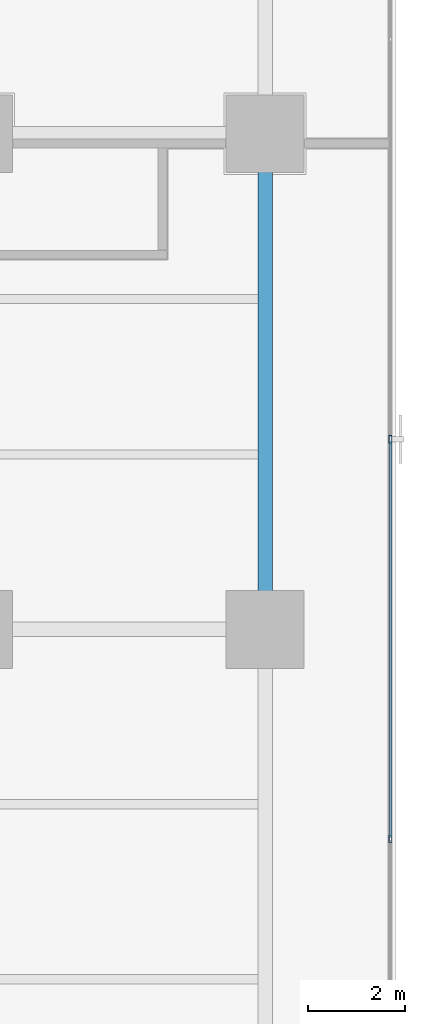
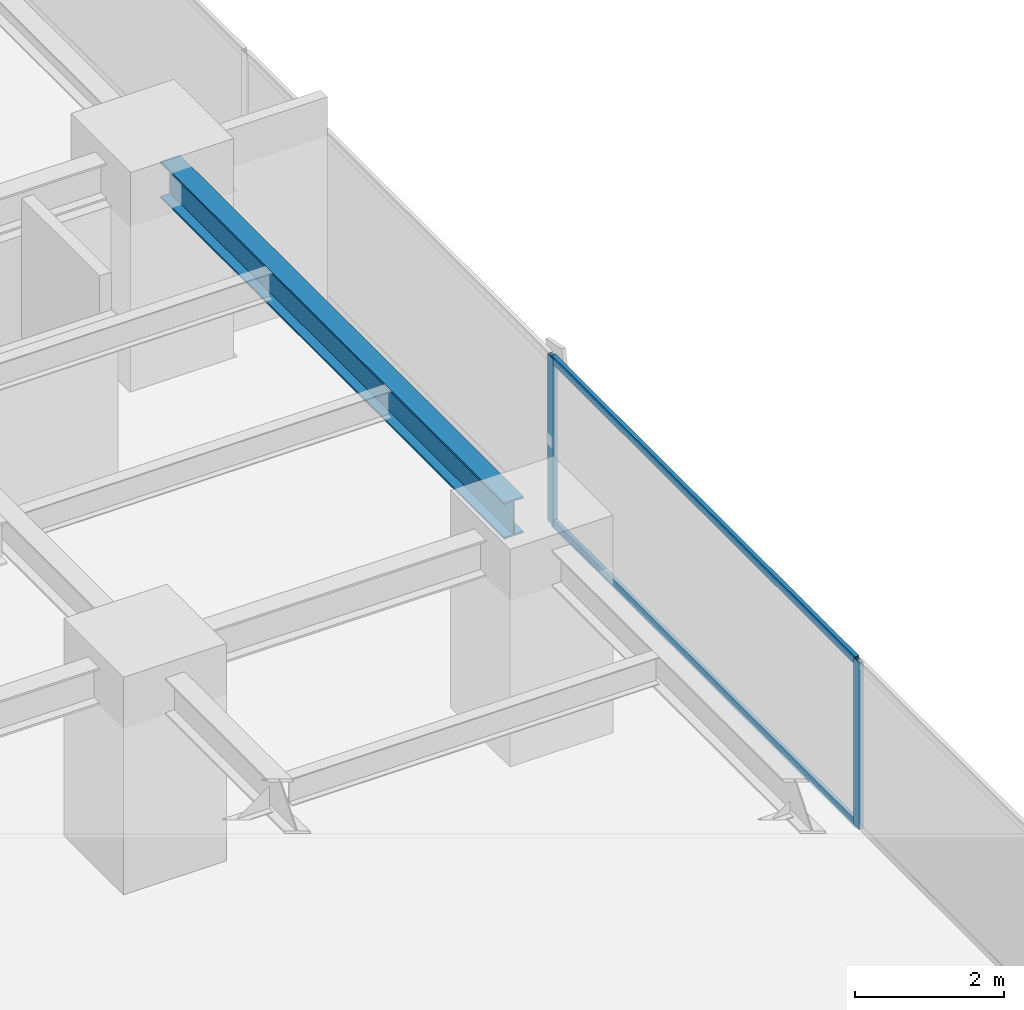
# One storey, part 16 of 36: 4 members, 1 beam, 1 element without a shape of its own.
"""IFC4 building model written with IfcOpenShell, lengths in metres."""

import ifcopenshell
import ifcopenshell.guid

model = None  # the IFC model being written
_history = None  # IfcOwnerHistory: only IFC2X3 demands one
_inside = {}  # id of a spatial element -> (the spatial element, [elements in it])
_under = {}  # id of a project, library or spatial element -> (it, [spatial elements below it])
_declared = {}  # id of a project -> (the project, [libraries it declares])
_typed = {}  # id of a type object -> (the type object, [elements of that type])
_made_of = {}  # id of a material, layer set ... -> (it, [elements and type objects made of it])


def new_model(schema):
    """Start an empty IFC model of exactly this schema.

    Asked for "IFC4X3", IfcOpenShell would pick the latest addendum, in which some entities
    have other attributes; the version numbers below select the first issue.
    IFC2X3 requires an IfcOwnerHistory on every rooted entity: one is made here for all.
    """
    global model, _history
    if schema == "IFC4X3":
        model = ifcopenshell.file(schema_version=(4, 3, 0, 0))
    else:
        model = ifcopenshell.file(schema=schema)
    _inside.clear()
    _under.clear()
    _declared.clear()
    _typed.clear()
    _made_of.clear()
    _history = None
    if model.schema == "IFC2X3":
        org = make("IfcOrganization", Name="unknown")
        user = make(
            "IfcPersonAndOrganization",
            ThePerson=make("IfcPerson", FamilyName="unknown"),
            TheOrganization=org,
        )
        app = make(
            "IfcApplication",
            ApplicationDeveloper=org,
            Version="unknown",
            ApplicationFullName="unknown",
            ApplicationIdentifier="unknown",
        )
        _history = make(
            "IfcOwnerHistory",
            OwningUser=user,
            OwningApplication=app,
            ChangeAction="ADDED",
            CreationDate=0,
        )
    return model


def make(cls, **values):
    """One entity of the class cls with the attributes given. An attribute that is None is left unset."""
    return model.create_entity(
        cls, **{name: value for name, value in values.items() if value is not None}
    )


def rooted(cls, **values):
    """An entity with a GlobalId (a new one), such as an element, a storey or a relation."""
    return make(cls, GlobalId=ifcopenshell.guid.new(), OwnerHistory=_history, **values)


def si_unit(unit_type, name, prefix=None):
    """IfcSIUnit, for example si_unit("LENGTHUNIT", "METRE", prefix="MILLI")."""
    return make("IfcSIUnit", UnitType=unit_type, Prefix=prefix, Name=name)


def assignment(units):
    """IfcUnitAssignment: the units of a project."""
    return None if units is None else make("IfcUnitAssignment", Units=units)


def point(xyz):
    """IfcCartesianPoint."""
    return None if xyz is None else make("IfcCartesianPoint", Coordinates=xyz)


def direction(xyz):
    """IfcDirection."""
    return None if xyz is None else make("IfcDirection", DirectionRatios=xyz)


def frame(location, z_axis=None, x_axis=None):
    """IfcAxis2Placement3D, a coordinate frame: its origin and axes. An axis left out is left unset."""
    return make(
        "IfcAxis2Placement3D",
        Location=point(location),
        Axis=direction(z_axis),
        RefDirection=direction(x_axis),
    )


def frame_2d(location, x_axis=None):
    """IfcAxis2Placement2D, a coordinate frame in the plane: its origin and x axis."""
    return make(
        "IfcAxis2Placement2D", Location=point(location), RefDirection=direction(x_axis)
    )


def origin():
    """The frame at (0, 0, 0) with its axes left unset."""
    return frame((0.0, 0.0, 0.0))


def origin_2d():
    """The frame at (0, 0) in the plane with its x axis left unset."""
    return frame_2d((0.0, 0.0))


def place(relative_to, where):
    """IfcLocalPlacement: puts the frame where relative to a parent placement (None: the world)."""
    return make(
        "IfcLocalPlacement", PlacementRelTo=relative_to, RelativePlacement=where
    )


def context(
    kind, dimensions, precision=None, world=None, true_north=None, identifier=None
):
    """IfcGeometricRepresentationContext, for example the 3D "Model" context."""
    return make(
        "IfcGeometricRepresentationContext",
        ContextIdentifier=identifier,
        ContextType=kind,
        CoordinateSpaceDimension=dimensions,
        Precision=precision,
        WorldCoordinateSystem=world,
        TrueNorth=true_north,
    )


def subcontext(parent, identifier, kind, view, scale=None):
    """IfcGeometricRepresentationSubContext, for example "Body" below "Model"."""
    return make(
        "IfcGeometricRepresentationSubContext",
        ContextIdentifier=identifier,
        ContextType=kind,
        ParentContext=parent,
        TargetScale=scale,
        TargetView=view,
    )


def project(units=None, contexts=None):
    """IfcProject with its units and contexts."""
    return rooted(
        "IfcProject",
        Name="project",
        RepresentationContexts=contexts,
        UnitsInContext=assignment(units),
    )


def spatial(cls, under=None, at=None, **own):
    """A site, building, storey or space (cls), placed at a placement, below another one or the project."""
    s = rooted(cls, ObjectPlacement=at, **own)
    if under is not None:
        _under.setdefault(under.id(), (under, []))[1].append(s)
    return s


def profile(cls, at=None, kind="AREA", **sizes):
    """A parametric profile (cls). Its sizes go by their IFC names, for example OverallWidth=200.0."""
    return make(cls, ProfileType=kind, Position=at, **sizes)


def hollow_rectangle(**sizes):
    """IfcRectangleHollowProfileDef."""
    return profile("IfcRectangleHollowProfileDef", **sizes)


def i_section(**sizes):
    """IfcIShapeProfileDef."""
    return profile("IfcIShapeProfileDef", **sizes)


def extrude(swept, where, along, depth):
    """IfcExtrudedAreaSolid: the profile swept, set in the frame where, extruded along a direction by depth."""
    return make(
        "IfcExtrudedAreaSolid",
        SweptArea=swept,
        Position=where,
        ExtrudedDirection=direction(along),
        Depth=depth,
    )


def shape(context_of_items, identifier, shape_type, items):
    """IfcShapeRepresentation: the items that make up one representation, for example the "Body"."""
    return make(
        "IfcShapeRepresentation",
        ContextOfItems=context_of_items,
        RepresentationIdentifier=identifier,
        RepresentationType=shape_type,
        Items=items,
    )


def source(mapping_origin, context_of_items, identifier, shape_type, items):
    """IfcRepresentationMap: a shape defined once, which mapped items show again and again."""
    return make(
        "IfcRepresentationMap",
        MappingOrigin=mapping_origin,
        MappedRepresentation=shape(context_of_items, identifier, shape_type, items),
    )


def transform(
    local_origin,
    x_axis=None,
    y_axis=None,
    z_axis=None,
    scale=None,
    scale2=None,
    scale3=None,
    uniform=True,
):
    """IfcCartesianTransformationOperator3D, or its non-uniform kind. x_axis, y_axis, z_axis: its Axis1, 2, 3."""
    if uniform:
        return make(
            "IfcCartesianTransformationOperator3D",
            Axis1=direction(x_axis),
            Axis2=direction(y_axis),
            LocalOrigin=point(local_origin),
            Scale=scale,
            Axis3=direction(z_axis),
        )
    return make(
        "IfcCartesianTransformationOperator3DnonUniform",
        Axis1=direction(x_axis),
        Axis2=direction(y_axis),
        LocalOrigin=point(local_origin),
        Scale=scale,
        Axis3=direction(z_axis),
        Scale2=scale2,
        Scale3=scale3,
    )


def mapped(mapping_source, mapping_target):
    """IfcMappedItem: shows the shape of a source again, moved by a transform."""
    return make(
        "IfcMappedItem", MappingSource=mapping_source, MappingTarget=mapping_target
    )


def material(Name=None, Category=None):
    """IfcMaterial."""
    return make("IfcMaterial", Name=Name, Category=Category)


def layer(
    of_material, thickness, ventilated=None, Name=None, Category=None, Priority=None
):
    """IfcMaterialLayer: one layer of a wall or slab, of a material (None: an air gap)."""
    return make(
        "IfcMaterialLayer",
        Material=of_material,
        LayerThickness=thickness,
        IsVentilated=ventilated,
        Name=Name,
        Category=Category,
        Priority=Priority,
    )


def layer_set(layers, Name=None):
    """IfcMaterialLayerSet."""
    return make("IfcMaterialLayerSet", MaterialLayers=layers, LayerSetName=Name)


def material_profile(
    of_material, cross_section, Name=None, Category=None, Priority=None
):
    """IfcMaterialProfile: a cross section and its material."""
    return make(
        "IfcMaterialProfile",
        Name=Name,
        Material=of_material,
        Profile=cross_section,
        Priority=Priority,
        Category=Category,
    )


def profile_set(profiles, Name=None, composite=None):
    """IfcMaterialProfileSet."""
    return make(
        "IfcMaterialProfileSet",
        Name=Name,
        MaterialProfiles=profiles,
        CompositeProfile=composite,
    )


def made_of(thing, what):
    """Note that an element or type object is made of a material, layer set ...; save() writes the relation."""
    if what is not None:
        _made_of.setdefault(what.id(), (what, []))[1].append(thing)
    return thing


def type_object(cls, material=None, **own):
    """A type object (cls), such as IfcWallType, which elements share."""
    return made_of(rooted(cls, **own), material)


def element(
    cls,
    number,
    at=None,
    inside=None,
    cuts=None,
    type_object=None,
    material=None,
    context=None,
    identifier="Body",
    shape_type=None,
    held_by="IfcProductDefinitionShape",
    body=None,
    shapes=None,
    **own,
):
    """One element of the class cls, such as IfcWall. Its Tag is "e" and its number.

    at: its placement. inside: the storey or other place that contains it. cuts: it is an
    opening in that element (IfcRelVoidsElement). A single representation is given by context,
    identifier, shape_type and body (its items); several are given by shapes. held_by: the class
    of the entity that holds the representations. save() writes the other relations.
    """
    e = rooted(cls, Tag="e%d" % number, ObjectPlacement=at, **own)
    if body is not None:
        shapes = [shape(context, identifier, shape_type, body)]
    if shapes is not None:
        e.Representation = make(held_by, Representations=shapes)
    if inside is not None:
        _inside.setdefault(inside.id(), (inside, []))[1].append(e)
    if cuts is not None:
        rooted(
            "IfcRelVoidsElement", RelatingBuildingElement=cuts, RelatedOpeningElement=e
        )
    if type_object is not None:
        _typed.setdefault(type_object.id(), (type_object, []))[1].append(e)
    return made_of(e, material)


def aggregate(whole, parts):
    """IfcRelAggregates: a whole, such as a stair, and the parts it consists of."""
    return rooted("IfcRelAggregates", RelatingObject=whole, RelatedObjects=parts)


def save(model, path):
    """Write the relations noted so far, then the file.

    IfcRelAggregates (storeys below a building ...), IfcRelContainedInSpatialStructure (elements
    in a storey), IfcRelDefinesByType, IfcRelAssociatesMaterial and IfcRelDeclares: one each for
    every whole, place, type object, material and project.
    """
    for whole, parts in _under.values():
        aggregate(whole, parts)
    for where, things in _inside.values():
        rooted(
            "IfcRelContainedInSpatialStructure",
            RelatedElements=things,
            RelatingStructure=where,
        )
    for kind, things in _typed.values():
        rooted("IfcRelDefinesByType", RelatedObjects=things, RelatingType=kind)
    for what, things in _made_of.values():
        rooted("IfcRelAssociatesMaterial", RelatedObjects=things, RelatingMaterial=what)
    for by, libraries in _declared.values():
        rooted("IfcRelDeclares", RelatingContext=by, RelatedDefinitions=libraries)
    model.write(path)


model = new_model("IFC4")

# Units and contexts
model_context = context("Model", 3, precision=1e-05, world=origin(), true_north=direction((0.0, 1.0)))
body_context = subcontext(model_context, "Body", "Model", "MODEL_VIEW")
ifc_project = project(units=[si_unit("LENGTHUNIT", "METRE"), si_unit("AREAUNIT", "SQUARE_METRE"), si_unit("VOLUMEUNIT", "CUBIC_METRE"), si_unit("PLANEANGLEUNIT", "RADIAN"), si_unit("MASSUNIT", "GRAM", prefix="KILO")], contexts=[model_context])

# Site, building, storey
site_placement = place(None, origin())
site = spatial("IfcSite", under=ifc_project, at=site_placement, CompositionType="ELEMENT")
building_placement = place(site_placement, origin())
building = spatial("IfcBuilding", under=site, at=building_placement, Name="Sumidabori Civic Tower", CompositionType="ELEMENT")
storey_placement = place(building_placement, frame((0.0, 0.0, 113.60009765625)))
storey = spatial("IfcBuildingStorey", under=building, at=storey_placement, Name="L29", CompositionType="ELEMENT", Elevation=113.60009765625)

# Beam
ifc_material_1 = material(Name="Steel SN490", Category="steel")
ifc_material_profile_1 = material_profile(ifc_material_1, i_section(OverallWidth=0.300048828125, OverallDepth=0.60009765625, WebThickness=0.015380859375, FlangeThickness=0.030029296875, at=origin_2d()), Name="HE 600 B")
ifc_profile_set_1 = profile_set([ifc_material_profile_1], Name="Steel SN490")
beam_type = type_object("IfcBeamType", Name="BM-GIRD-600", PredefinedType="BEAM", material=ifc_profile_set_1)
shared_shape_1 = source(origin(), body_context, "Body", "SweptSolid", [
    extrude(i_section(OverallWidth=0.300048828125, OverallDepth=0.60009765625, WebThickness=0.015380859375, FlangeThickness=0.030029296875, at=origin_2d()), origin(), (0.0, 0.0, 1.0), 9.239990234375),
])
beam_placement = place(storey_placement, frame((22.800048828125, 0.47998046875, 3.059814453125), z_axis=(0.0, 1.0, 0.0), x_axis=(-1.0, 0.0, 0.0)))
element("IfcBeam", 1, at=beam_placement, inside=storey, type_object=beam_type, Name="Primary Girder L29 GY-41", PredefinedType="BEAM", context=body_context, shape_type="MappedRepresentation", body=[
    mapped(shared_shape_1, transform((0.0, 0.0, 0.0), x_axis=(1.0, 0.0, 0.0), y_axis=(0.0, 1.0, 0.0), z_axis=(0.0, 0.0, 1.0), scale=1.0)),
])

# Curtain wall, members
ifc_material_2 = material(Name="Anodised Bronze Aluminium AW-6063-T6", Category="aluminium")
ifc_layer = layer(ifc_material_2, 0.179931640625, Name="Anodised Bronze Aluminium AW-6063-T6")
ifc_layer_set = layer_set([ifc_layer], Name="Anodised Bronze Aluminium AW-6063-T6")
curtain_wall_type = type_object("IfcCurtainWallType", Name="CW-SYS-3", PredefinedType="NOTDEFINED", material=ifc_layer_set)
curtain_wall_placement = place(storey_placement, origin())
curtain_wall = element("IfcCurtainWall", 2, at=curtain_wall_placement, inside=storey, type_object=curtain_wall_type, Name="Curtain Wall CW:L29:R04", PredefinedType="NOTDEFINED")
ifc_material_profile_2 = material_profile(ifc_material_2, hollow_rectangle(XDim=0.06494140625, YDim=0.159912109375, WallThickness=0.0048828125, at=origin_2d()), Name="ALU MULLION 160x65")
ifc_profile_set_2 = profile_set([ifc_material_profile_2], Name="Anodised Bronze Aluminium AW-6063-T6")
member_type_1 = type_object("IfcMemberType", Name="CW-MUL-160", PredefinedType="MULLION", material=ifc_profile_set_2)
shared_shape_2 = source(origin(), body_context, "Body", "SweptSolid", [
    extrude(hollow_rectangle(XDim=0.06494140625, YDim=0.159912109375, WallThickness=0.0048828125, at=origin_2d()), origin(), (0.0, 0.0, 1.0), 2.739990234375),
])
member_1_placement = place(storey_placement, frame((25.3798828125, -4.31396484375, 0.0), z_axis=(0.0, 0.0, 1.0), x_axis=(-1.0, 0.0, 0.0)))
member_1 = element("IfcMember", 3, at=member_1_placement, type_object=member_type_1, Name="CW-3 mullion 3", PredefinedType="MULLION", context=body_context, shape_type="MappedRepresentation", body=[
    mapped(shared_shape_2, transform((0.0, 0.0, 0.0), x_axis=(1.0, 0.0, 0.0), y_axis=(0.0, 1.0, 0.0), z_axis=(0.0, 0.0, 1.0), scale=1.0)),
])
member_2_placement = place(storey_placement, frame((25.3798828125, 3.9140625, 0.0), z_axis=(0.0, 0.0, 1.0), x_axis=(-1.0, 0.0, 0.0)))
member_2 = element("IfcMember", 4, at=member_2_placement, type_object=member_type_1, Name="CW-3 mullion 4", PredefinedType="MULLION", context=body_context, shape_type="MappedRepresentation", body=[
    mapped(shared_shape_2, transform((0.0, 0.0, 0.0), x_axis=(1.0, 0.0, 0.0), y_axis=(0.0, 1.0, 0.0), z_axis=(0.0, 0.0, 1.0), scale=1.0)),
])
ifc_material_profile_3 = material_profile(ifc_material_2, hollow_rectangle(XDim=0.06005859375, YDim=0.1298828125, WallThickness=0.0048828125, at=origin_2d()), Name="ALU TRANSOM 130x60")
ifc_profile_set_3 = profile_set([ifc_material_profile_3], Name="Anodised Bronze Aluminium AW-6063-T6")
member_type_2 = type_object("IfcMemberType", Name="CW-TRN-130", PredefinedType="USERDEFINED", material=ifc_profile_set_3)
shared_shape_3 = source(origin(), body_context, "Body", "SweptSolid", [
    extrude(hollow_rectangle(XDim=0.06005859375, YDim=0.1298828125, WallThickness=0.0048828125, at=origin_2d()), origin(), (0.0, 0.0, 1.0), 8.1630859375),
])
member_3_placement = place(storey_placement, frame((25.3798828125, -4.281494140625, 0.02978515625), z_axis=(0.0, 1.0, 0.0), x_axis=(-1.0, 0.0, 0.0)))
member_3 = element("IfcMember", 5, at=member_3_placement, type_object=member_type_2, Name="CW-3 transom 3.1", ObjectType="TRANSOM", PredefinedType="USERDEFINED", context=body_context, shape_type="MappedRepresentation", body=[
    mapped(shared_shape_3, transform((0.0, 0.0, 0.0), x_axis=(1.0, 0.0, 0.0), y_axis=(0.0, 1.0, 0.0), z_axis=(0.0, 0.0, 1.0), scale=1.0)),
])
member_4_placement = place(storey_placement, frame((25.3798828125, -4.281494140625, 2.7099609375), z_axis=(0.0, 1.0, 0.0), x_axis=(-1.0, 0.0, 0.0)))
member_4 = element("IfcMember", 6, at=member_4_placement, type_object=member_type_2, Name="CW-3 transom 3.2", ObjectType="TRANSOM", PredefinedType="USERDEFINED", context=body_context, shape_type="MappedRepresentation", body=[
    mapped(shared_shape_3, transform((0.0, 0.0, 0.0), x_axis=(1.0, 0.0, 0.0), y_axis=(0.0, 1.0, 0.0), z_axis=(0.0, 0.0, 1.0), scale=1.0)),
])
aggregate(curtain_wall, [member_1, member_2, member_3, member_4])

save(model, "model.ifc")
